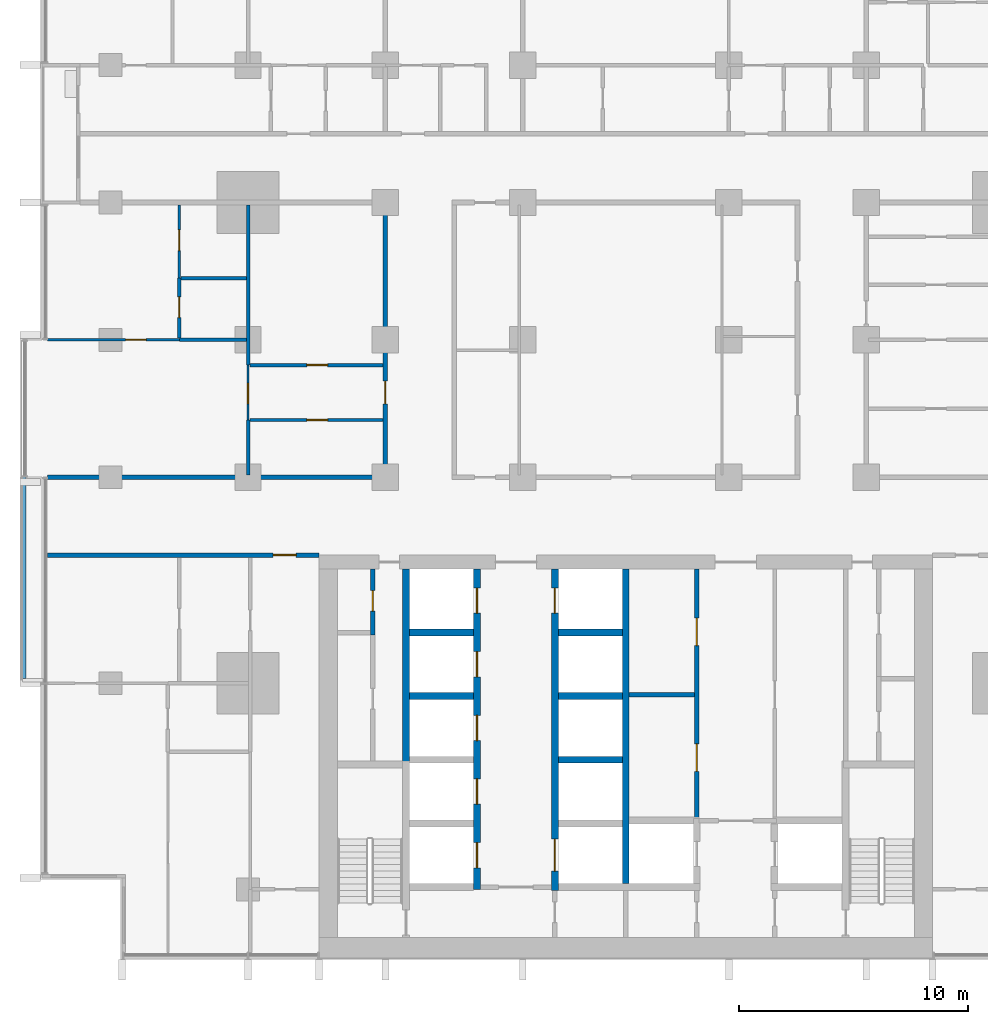
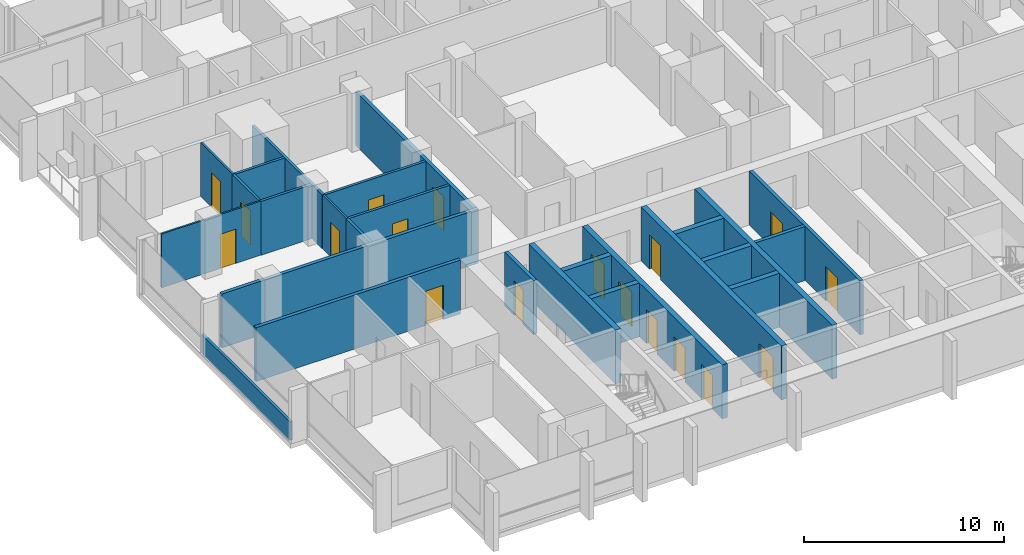
# One storey, part 8 of 18: 26 walls, 18 doors, 18 openings.
"""IFC4 building model written with IfcOpenShell, lengths in metres."""

from ifc_helpers import new_model, si_unit, direction, frame, frame_2d, origin, place, context, subcontext, project, spatial, rectangle, extrude, material, layer, layer_set, type_object, element, fill, save


model = new_model("IFC4")

# Units and contexts
model_context = context("Model", 3, precision=1e-05, world=origin(), true_north=direction((0.0, 1.0)))
body_context = subcontext(model_context, "Body", "Model", "MODEL_VIEW")
ifc_project = project(units=[si_unit("LENGTHUNIT", "METRE"), si_unit("AREAUNIT", "SQUARE_METRE"), si_unit("VOLUMEUNIT", "CUBIC_METRE"), si_unit("PLANEANGLEUNIT", "RADIAN"), si_unit("MASSUNIT", "GRAM", prefix="KILO")], contexts=[model_context])

# Site, building, storey
site_placement = place(None, origin())
site = spatial("IfcSite", under=ifc_project, at=site_placement, CompositionType="ELEMENT")
building_placement = place(site_placement, origin())
building = spatial("IfcBuilding", under=site, at=building_placement, Name="Finial Court Residences", CompositionType="ELEMENT")
storey_placement = place(building_placement, frame((0.0, 0.0, 106.300048828125)))
storey = spatial("IfcBuildingStorey", under=building, at=storey_placement, Name="L26", CompositionType="ELEMENT", Elevation=106.300048828125)

# Wall, opening, door
ifc_material_1 = material(Name="Gypsum board")
ifc_layer_1 = layer(ifc_material_1, 0.02490234375)
ifc_material_2 = material(Name="Acoustic mineral wool in double frame")
ifc_layer_2 = layer(ifc_material_2, 0.14990234375)
ifc_layer_3 = layer(ifc_material_1, 0.02490234375)
ifc_layer_set_1 = layer_set([ifc_layer_1, ifc_layer_2, ifc_layer_3], Name="Corridor wall 200, 1 hour")
wall_type_1 = type_object("IfcWallType", Name="Corridor wall 200, 1 hour", PredefinedType="PARTITIONING", material=ifc_layer_set_1)
wall_1_placement = place(storey_placement, frame((-25.25, -7.89990234375, 0.0), z_axis=(0.0, 0.0, 1.0), x_axis=(1.0, 0.0, 0.0)))
wall_1 = element("IfcWall", 1, at=wall_1_placement, inside=storey, type_object=wall_type_1, Name="Partition L26-007", PredefinedType="PARTITIONING", context=body_context, shape_type="SweptSolid", body=[
    extrude(rectangle(XDim=11.85009765625, YDim=0.199951171875, at=frame_2d((5.925048828125, 0.0))), origin(), (0.0, 0.0, 1.0), 3.300048828125),
])
opening_1_placement = place(wall_1_placement, frame((9.85009765625, 0.0, 0.0)))
opening_1 = element("IfcOpeningElement", 2, at=opening_1_placement, cuts=wall_1, Name="Opening L26-D005", PredefinedType="OPENING", context=body_context, shape_type="SweptSolid", body=[
    extrude(rectangle(XDim=1.0, YDim=2.10009765625, at=frame_2d((0.5, 1.050048828125))), frame((0.0, 0.10986328125, 0.0), z_axis=(0.0, -1.0, 0.0), x_axis=(1.0, 0.0, 0.0)), (0.0, 0.0, 1.0), 0.219970703125),
])
ifc_material_3 = material(Name="Timber door leaf in hollow metal frame", Category="wood")
door_type_1 = type_object("IfcDoorType", Name="Fire door set 1000 x 2100, 30 minutes", OperationType="SINGLE_SWING_LEFT", PredefinedType="DOOR", material=ifc_material_3)
door_1_placement = place(opening_1_placement, origin())
door_1 = element("IfcDoor", 3, at=door_1_placement, inside=storey, type_object=door_type_1, Name="Door L26-D005", OperationType="SINGLE_SWING_RIGHT", OverallHeight=2.10009765625, OverallWidth=1.0, PredefinedType="DOOR", context=body_context, shape_type="SweptSolid", body=[
    extrude(rectangle(XDim=1.0, YDim=2.10009765625, at=frame_2d((0.5, 1.050048828125))), frame((0.0, 0.02490234375, 0.0), z_axis=(0.0, -1.0, 0.0), x_axis=(1.0, 0.0, 0.0)), (0.0, 0.0, 1.0), 0.050048828125),
])
fill(opening_1, door_1)

# Wall
wall_2_placement = place(storey_placement, frame((-25.25, -4.5, 0.0), z_axis=(0.0, 0.0, 1.0), x_axis=(1.0, 0.0, 0.0)))
element("IfcWall", 4, at=wall_2_placement, inside=storey, type_object=wall_type_1, Name="Partition L26-009", PredefinedType="PARTITIONING", context=body_context, shape_type="SweptSolid", body=[
    extrude(rectangle(XDim=14.85009765625, YDim=0.199951171875, at=frame_2d((7.425048828125, 0.0))), origin(), (0.0, 0.0, 1.0), 3.300048828125),
])

# Wall, opening, door
wall_3_placement = place(storey_placement, frame((-10.5, -4.39990234375, 0.0), z_axis=(0.0, 0.0, 1.0), x_axis=(0.0, 1.0, 0.0)))
wall_3 = element("IfcWall", 5, at=wall_3_placement, inside=storey, type_object=wall_type_1, Name="Partition L26-061", PredefinedType="PARTITIONING", context=body_context, shape_type="SweptSolid", body=[
    extrude(rectangle(XDim=11.7998046875, YDim=0.199951171875, at=frame_2d((5.89990234375, 0.0))), origin(), (0.0, 0.0, 1.0), 3.300048828125),
])
opening_2_placement = place(wall_3_placement, frame((3.10009765625, 0.0, 0.0)))
opening_2 = element("IfcOpeningElement", 6, at=opening_2_placement, cuts=wall_3, Name="Opening L26-D042", PredefinedType="OPENING", context=body_context, shape_type="SweptSolid", body=[
    extrude(rectangle(XDim=1.0, YDim=2.10009765625, at=frame_2d((0.5, 1.050048828125))), frame((0.0, 0.10986328125, 0.0), z_axis=(0.0, -1.0, 0.0), x_axis=(1.0, 0.0, 0.0)), (0.0, 0.0, 1.0), 0.219970703125),
])
door_2_placement = place(opening_2_placement, origin())
door_2 = element("IfcDoor", 7, at=door_2_placement, inside=storey, type_object=door_type_1, Name="Door L26-D042", OperationType="SINGLE_SWING_RIGHT", OverallHeight=2.10009765625, OverallWidth=1.0, PredefinedType="DOOR", context=body_context, shape_type="SweptSolid", body=[
    extrude(rectangle(XDim=1.0, YDim=2.10009765625, at=frame_2d((0.5, 1.050048828125))), frame((0.0, 0.02490234375, 0.0), z_axis=(0.0, -1.0, 0.0), x_axis=(1.0, 0.0, 0.0)), (0.0, 0.0, 1.0), 0.050048828125),
])
fill(opening_2, door_2)

ifc_layer_4 = layer(ifc_material_1, 0.012451171875)
ifc_material_4 = material(Name="Mineral wool in light-gauge frame")
ifc_layer_5 = layer(ifc_material_4, 0.074951171875)
ifc_layer_6 = layer(ifc_material_1, 0.012451171875)
ifc_layer_set_2 = layer_set([ifc_layer_4, ifc_layer_5, ifc_layer_6], Name="Gypsum board partition 100")
wall_type_2 = type_object("IfcWallType", Name="Gypsum board partition 100", PredefinedType="PARTITIONING", material=ifc_layer_set_2)
wall_4_placement = place(storey_placement, frame((-25.25, 1.5, 0.0), z_axis=(0.0, 0.0, 1.0), x_axis=(1.0, 0.0, 0.0)))
wall_4 = element("IfcWall", 8, at=wall_4_placement, inside=storey, type_object=wall_type_2, Name="Partition L26-016", PredefinedType="PARTITIONING", context=body_context, shape_type="SweptSolid", body=[
    extrude(rectangle(XDim=5.75, YDim=0.10009765625, at=frame_2d((2.875, 0.0))), origin(), (0.0, 0.0, 1.0), 3.300048828125),
])
opening_3_placement = place(wall_4_placement, frame((3.39990234375, 0.0, 0.0)))
opening_3 = element("IfcOpeningElement", 9, at=opening_3_placement, cuts=wall_4, Name="Opening L26-D012", PredefinedType="OPENING", context=body_context, shape_type="SweptSolid", body=[
    extrude(rectangle(XDim=0.89990234375, YDim=2.10009765625, at=frame_2d((0.449951171875, 1.050048828125))), frame((0.0, 0.06005859375, 0.0), z_axis=(0.0, -1.0, 0.0), x_axis=(1.0, 0.0, 0.0)), (0.0, 0.0, 1.0), 0.1201171875),
])
ifc_material_5 = material(Name="Timber door leaf in timber frame", Category="wood")
door_type_2 = type_object("IfcDoorType", Name="Door set 900 x 2100", OperationType="SINGLE_SWING_LEFT", PredefinedType="DOOR", material=ifc_material_5)
door_3_placement = place(opening_3_placement, origin())
door_3 = element("IfcDoor", 10, at=door_3_placement, inside=storey, type_object=door_type_2, Name="Door L26-D012", OperationType="SINGLE_SWING_LEFT", OverallHeight=2.10009765625, OverallWidth=0.89990234375, PredefinedType="DOOR", context=body_context, shape_type="SweptSolid", body=[
    extrude(rectangle(XDim=0.89990234375, YDim=2.10009765625, at=frame_2d((0.449951171875, 1.050048828125))), frame((0.0, 0.02490234375, 0.0), z_axis=(0.0, -1.0, 0.0), x_axis=(1.0, 0.0, 0.0)), (0.0, 0.0, 1.0), 0.050048828125),
])
fill(opening_3, door_3)

wall_5_placement = place(storey_placement, frame((-19.5, 4.199951171875, 0.0), z_axis=(0.0, 0.0, 1.0), x_axis=(0.0, 1.0, 0.0)))
wall_5 = element("IfcWall", 11, at=wall_5_placement, inside=storey, type_object=wall_type_2, Name="Partition L26-048", PredefinedType="PARTITIONING", context=body_context, shape_type="SweptSolid", body=[
    extrude(rectangle(XDim=3.199951171875, YDim=0.10009765625, at=frame_2d((1.60009765625, 0.0))), origin(), (0.0, 0.0, 1.0), 3.300048828125),
])
opening_4_placement = place(wall_5_placement, frame((1.199951171875, 0.0, 0.0)))
opening_4 = element("IfcOpeningElement", 12, at=opening_4_placement, cuts=wall_5, Name="Opening L26-D035", PredefinedType="OPENING", context=body_context, shape_type="SweptSolid", body=[
    extrude(rectangle(XDim=0.89990234375, YDim=2.10009765625, at=frame_2d((0.449951171875, 1.050048828125))), frame((0.0, 0.06005859375, 0.0), z_axis=(0.0, -1.0, 0.0), x_axis=(1.0, 0.0, 0.0)), (0.0, 0.0, 1.0), 0.1201171875),
])
door_4_placement = place(opening_4_placement, origin())
door_4 = element("IfcDoor", 13, at=door_4_placement, inside=storey, type_object=door_type_2, Name="Door L26-D035", OperationType="SINGLE_SWING_LEFT", OverallHeight=2.10009765625, OverallWidth=0.89990234375, PredefinedType="DOOR", context=body_context, shape_type="SweptSolid", body=[
    extrude(rectangle(XDim=0.89990234375, YDim=2.10009765625, at=frame_2d((0.449951171875, 1.050048828125))), frame((0.0, 0.02490234375, 0.0), z_axis=(0.0, -1.0, 0.0), x_axis=(1.0, 0.0, 0.0)), (0.0, 0.0, 1.0), 0.050048828125),
])
fill(opening_4, door_4)

wall_6_placement = place(storey_placement, frame((-16.5, -2.0, 0.0), z_axis=(0.0, 0.0, 1.0), x_axis=(0.0, 1.0, 0.0)))
wall_6 = element("IfcWall", 14, at=wall_6_placement, inside=storey, type_object=wall_type_2, Name="Partition L26-051", PredefinedType="PARTITIONING", context=body_context, shape_type="SweptSolid", body=[
    extrude(rectangle(XDim=2.39990234375, YDim=0.10009765625, at=frame_2d((1.199951171875, 0.0))), origin(), (0.0, 0.0, 1.0), 3.300048828125),
])
opening_5_placement = place(wall_6_placement, frame((0.699951171875, 0.0, 0.0)))
opening_5 = element("IfcOpeningElement", 15, at=opening_5_placement, cuts=wall_6, Name="Opening L26-D038", PredefinedType="OPENING", context=body_context, shape_type="SweptSolid", body=[
    extrude(rectangle(XDim=0.89990234375, YDim=2.10009765625, at=frame_2d((0.449951171875, 1.050048828125))), frame((0.0, 0.06005859375, 0.0), z_axis=(0.0, -1.0, 0.0), x_axis=(1.0, 0.0, 0.0)), (0.0, 0.0, 1.0), 0.1201171875),
])
door_5_placement = place(opening_5_placement, origin())
door_5 = element("IfcDoor", 16, at=door_5_placement, inside=storey, type_object=door_type_2, Name="Door L26-D038", OperationType="SINGLE_SWING_RIGHT", OverallHeight=2.10009765625, OverallWidth=0.89990234375, PredefinedType="DOOR", context=body_context, shape_type="SweptSolid", body=[
    extrude(rectangle(XDim=0.89990234375, YDim=2.10009765625, at=frame_2d((0.449951171875, 1.050048828125))), frame((0.0, 0.02490234375, 0.0), z_axis=(0.0, -1.0, 0.0), x_axis=(1.0, 0.0, 0.0)), (0.0, 0.0, 1.0), 0.050048828125),
])
fill(opening_5, door_5)

ifc_material_6 = material(Name="Moisture-resistant gypsum board")
ifc_layer_7 = layer(ifc_material_6, 0.012451171875)
ifc_layer_8 = layer(ifc_material_4, 0.125)
ifc_layer_9 = layer(ifc_material_6, 0.012451171875)
ifc_layer_set_3 = layer_set([ifc_layer_7, ifc_layer_8, ifc_layer_9], Name="Gypsum board wet-area partition 150")
wall_type_3 = type_object("IfcWallType", Name="Gypsum board wet-area partition 150", PredefinedType="PARTITIONING", material=ifc_layer_set_3)
wall_7_placement = place(storey_placement, frame((-16.425048828125, -2.0, 0.0), z_axis=(0.0, 0.0, 1.0), x_axis=(1.0, 0.0, 0.0)))
wall_7 = element("IfcWall", 17, at=wall_7_placement, inside=storey, type_object=wall_type_3, Name="Partition L26-012", PredefinedType="PARTITIONING", context=body_context, shape_type="SweptSolid", body=[
    extrude(rectangle(XDim=5.824951171875, YDim=0.14990234375, at=frame_2d((2.91259765625, 0.0))), origin(), (0.0, 0.0, 1.0), 3.300048828125),
])
opening_6_placement = place(wall_7_placement, frame((2.5, 0.0, 0.0)))
opening_6 = element("IfcOpeningElement", 18, at=opening_6_placement, cuts=wall_7, Name="Opening L26-D009", PredefinedType="OPENING", context=body_context, shape_type="SweptSolid", body=[
    extrude(rectangle(XDim=0.89990234375, YDim=2.10009765625, at=frame_2d((0.449951171875, 1.050048828125))), frame((0.0, 0.0849609375, 0.0), z_axis=(0.0, -1.0, 0.0), x_axis=(1.0, 0.0, 0.0)), (0.0, 0.0, 1.0), 0.169921875),
])
door_6_placement = place(opening_6_placement, origin())
door_6 = element("IfcDoor", 19, at=door_6_placement, inside=storey, type_object=door_type_2, Name="Door L26-D009", OperationType="SINGLE_SWING_LEFT", OverallHeight=2.10009765625, OverallWidth=0.89990234375, PredefinedType="DOOR", context=body_context, shape_type="SweptSolid", body=[
    extrude(rectangle(XDim=0.89990234375, YDim=2.10009765625, at=frame_2d((0.449951171875, 1.050048828125))), frame((0.0, 0.02490234375, 0.0), z_axis=(0.0, -1.0, 0.0), x_axis=(1.0, 0.0, 0.0)), (0.0, 0.0, 1.0), 0.050048828125),
])
fill(opening_6, door_6)

wall_8_placement = place(storey_placement, frame((-16.425048828125, 0.39990234375, 0.0), z_axis=(0.0, 0.0, 1.0), x_axis=(1.0, 0.0, 0.0)))
wall_8 = element("IfcWall", 20, at=wall_8_placement, inside=storey, type_object=wall_type_3, Name="Partition L26-014", PredefinedType="PARTITIONING", context=body_context, shape_type="SweptSolid", body=[
    extrude(rectangle(XDim=5.824951171875, YDim=0.14990234375, at=frame_2d((2.91259765625, 0.0))), origin(), (0.0, 0.0, 1.0), 3.300048828125),
])
opening_7_placement = place(wall_8_placement, frame((2.5, 0.0, 0.0)))
opening_7 = element("IfcOpeningElement", 21, at=opening_7_placement, cuts=wall_8, Name="Opening L26-D011", PredefinedType="OPENING", context=body_context, shape_type="SweptSolid", body=[
    extrude(rectangle(XDim=0.89990234375, YDim=2.10009765625, at=frame_2d((0.449951171875, 1.050048828125))), frame((0.0, 0.0849609375, 0.0), z_axis=(0.0, -1.0, 0.0), x_axis=(1.0, 0.0, 0.0)), (0.0, 0.0, 1.0), 0.169921875),
])
door_7_placement = place(opening_7_placement, origin())
door_7 = element("IfcDoor", 22, at=door_7_placement, inside=storey, type_object=door_type_2, Name="Door L26-D011", OperationType="SINGLE_SWING_LEFT", OverallHeight=2.10009765625, OverallWidth=0.89990234375, PredefinedType="DOOR", context=body_context, shape_type="SweptSolid", body=[
    extrude(rectangle(XDim=0.89990234375, YDim=2.10009765625, at=frame_2d((0.449951171875, 1.050048828125))), frame((0.0, 0.02490234375, 0.0), z_axis=(0.0, -1.0, 0.0), x_axis=(1.0, 0.0, 0.0)), (0.0, 0.0, 1.0), 0.050048828125),
])
fill(opening_7, door_7)

# Walls
wall_9_placement = place(storey_placement, frame((-19.5, 1.5, 0.0), z_axis=(0.0, 0.0, 1.0), x_axis=(1.0, 0.0, 0.0)))
element("IfcWall", 23, at=wall_9_placement, inside=storey, type_object=wall_type_3, Name="Partition L26-018", PredefinedType="PARTITIONING", context=body_context, shape_type="SweptSolid", body=[
    extrude(rectangle(XDim=2.925048828125, YDim=0.14990234375, at=frame_2d((1.46240234375, 0.0))), origin(), (0.0, 0.0, 1.0), 3.300048828125),
])
wall_10_placement = place(storey_placement, frame((-19.425048828125, 4.199951171875, 0.0), z_axis=(0.0, 0.0, 1.0), x_axis=(1.0, 0.0, 0.0)))
element("IfcWall", 24, at=wall_10_placement, inside=storey, type_object=wall_type_3, Name="Partition L26-022", PredefinedType="PARTITIONING", context=body_context, shape_type="SweptSolid", body=[
    extrude(rectangle(XDim=2.85009765625, YDim=0.14990234375, at=frame_2d((1.425048828125, 0.0))), origin(), (0.0, 0.0, 1.0), 3.300048828125),
])

# Wall, opening, door
wall_11_placement = place(storey_placement, frame((-19.5, 1.574951171875, 0.0), z_axis=(0.0, 0.0, 1.0), x_axis=(0.0, 1.0, 0.0)))
wall_11 = element("IfcWall", 25, at=wall_11_placement, inside=storey, type_object=wall_type_3, Name="Partition L26-050", PredefinedType="PARTITIONING", context=body_context, shape_type="SweptSolid", body=[
    extrude(rectangle(XDim=2.625, YDim=0.14990234375, at=frame_2d((1.3125, 0.0))), origin(), (0.0, 0.0, 1.0), 3.300048828125),
])
opening_8_placement = place(wall_11_placement, frame((0.89990234375, 0.0, 0.0)))
opening_8 = element("IfcOpeningElement", 26, at=opening_8_placement, cuts=wall_11, Name="Opening L26-D037", PredefinedType="OPENING", context=body_context, shape_type="SweptSolid", body=[
    extrude(rectangle(XDim=0.89990234375, YDim=2.10009765625, at=frame_2d((0.449951171875, 1.050048828125))), frame((0.0, 0.0849609375, 0.0), z_axis=(0.0, -1.0, 0.0), x_axis=(1.0, 0.0, 0.0)), (0.0, 0.0, 1.0), 0.169921875),
])
door_8_placement = place(opening_8_placement, origin())
door_8 = element("IfcDoor", 27, at=door_8_placement, inside=storey, type_object=door_type_2, Name="Door L26-D037", OperationType="SINGLE_SWING_RIGHT", OverallHeight=2.10009765625, OverallWidth=0.89990234375, PredefinedType="DOOR", context=body_context, shape_type="SweptSolid", body=[
    extrude(rectangle(XDim=0.89990234375, YDim=2.10009765625, at=frame_2d((0.449951171875, 1.050048828125))), frame((0.0, 0.02490234375, 0.0), z_axis=(0.0, -1.0, 0.0), x_axis=(1.0, 0.0, 0.0)), (0.0, 0.0, 1.0), 0.050048828125),
])
fill(opening_8, door_8)

# Walls
wall_12_placement = place(storey_placement, frame((-16.5, -4.39990234375, 0.0), z_axis=(0.0, 0.0, 1.0), x_axis=(0.0, 1.0, 0.0)))
element("IfcWall", 28, at=wall_12_placement, inside=storey, type_object=wall_type_3, Name="Partition L26-053", PredefinedType="PARTITIONING", context=body_context, shape_type="SweptSolid", body=[
    extrude(rectangle(XDim=2.39990234375, YDim=0.14990234375, at=frame_2d((1.199951171875, 0.0))), origin(), (0.0, 0.0, 1.0), 3.300048828125),
])
wall_13_placement = place(storey_placement, frame((-16.5, 0.39990234375, 0.0), z_axis=(0.0, 0.0, 1.0), x_axis=(0.0, 1.0, 0.0)))
element("IfcWall", 29, at=wall_13_placement, inside=storey, type_object=wall_type_3, Name="Partition L26-054", PredefinedType="PARTITIONING", context=body_context, shape_type="SweptSolid", body=[
    extrude(rectangle(XDim=7.0, YDim=0.14990234375, at=frame_2d((3.5, 0.0))), origin(), (0.0, 0.0, 1.0), 3.300048828125),
])
ifc_material_7 = material(Name="Concrete C35/45", Category="concrete")
ifc_layer_10 = layer(ifc_material_7, 0.14990234375)
ifc_layer_set_4 = layer_set([ifc_layer_10], Name="Ledge parapet, Concrete C35/45 150")
wall_type_4 = type_object("IfcWallType", Name="Ledge parapet, Concrete C35/45 150", PredefinedType="PARAPET", material=ifc_layer_set_4)
wall_14_placement = place(storey_placement, frame((-26.27490234375, -13.300048828125, 0.0), z_axis=(0.0, 0.0, 1.0), x_axis=(0.0, 1.0, 0.0)))
element("IfcWall", 30, at=wall_14_placement, inside=storey, type_object=wall_type_4, Name="E-L26-LED1-P2", PredefinedType="PARAPET", context=body_context, shape_type="SweptSolid", body=[
    extrude(rectangle(XDim=8.840087890625, YDim=0.14990234375, at=frame_2d((4.419921875, 0.0))), origin(), (0.0, 0.0, 1.0), 1.14990234375),
])
ifc_material_8 = material(Name="Concrete C70/85", Category="concrete")
ifc_layer_11 = layer(ifc_material_8, 0.300048828125)
ifc_layer_set_5 = layer_set([ifc_layer_11], Name="Lift shaft and stair wall 300 Concrete C70/85")
wall_type_5 = type_object("IfcWallType", Name="Lift shaft and stair wall 300 Concrete C70/85", PredefinedType="SHEAR", material=ifc_layer_set_5)
for number, where, z_axis, x_axis, name in (
    (31, (-2.949951171875, -16.840087890625, 0.0), (0.0, 0.0, 1.0), (1.0, 0.0, 0.0), "Core wall L26-13"),
    (32, (-9.449951171875, -14.06005859375, 0.0), (0.0, 0.0, 1.0), (1.0, 0.0, 0.0), "Core wall L26-14"),
    (33, (-2.949951171875, -14.06005859375, 0.0), (0.0, 0.0, 1.0), (1.0, 0.0, 0.0), "Core wall L26-15"),
    (34, (-9.449951171875, -11.280029296875, 0.0), (0.0, 0.0, 1.0), (1.0, 0.0, 0.0), "Core wall L26-19"),
    (35, (-2.949951171875, -11.280029296875, 0.0), (0.0, 0.0, 1.0), (1.0, 0.0, 0.0), "Core wall L26-20"),
):
    element("IfcWall", number, at=place(storey_placement, frame(where, z_axis=z_axis, x_axis=x_axis)), inside=storey, type_object=wall_type_5, Name=name, PredefinedType="SHEAR", context=body_context, shape_type="SweptSolid", body=[
        extrude(rectangle(XDim=2.800048828125, YDim=0.300048828125, at=frame_2d((1.39990234375, 0.0))), origin(), (0.0, 0.0, 1.0), 3.300048828125),
    ])
wall_15_placement = place(storey_placement, frame((-9.60009765625, -17.199951171875, 0.0), z_axis=(0.0, 0.0, 1.0), x_axis=(0.0, 1.0, 0.0)))
element("IfcWall", 36, at=wall_15_placement, inside=storey, type_object=wall_type_5, Name="Core wall L26-24", PredefinedType="SHEAR", context=body_context, shape_type="SweptSolid", body=[
    extrude(rectangle(XDim=8.699951171875, YDim=0.300048828125, at=frame_2d((4.35009765625, 0.0))), origin(), (0.0, 0.0, 1.0), 3.300048828125),
])

# Wall, openings, doors
wall_16_placement = place(storey_placement, frame((-6.5, -22.5, 0.0), z_axis=(0.0, 0.0, 1.0), x_axis=(0.0, 1.0, 0.0)))
wall_16 = element("IfcWall", 37, at=wall_16_placement, inside=storey, type_object=wall_type_5, Name="Core wall L26-25", PredefinedType="SHEAR", context=body_context, shape_type="SweptSolid", body=[
    extrude(rectangle(XDim=14.0, YDim=0.300048828125, at=frame_2d((7.0, 0.0))), origin(), (0.0, 0.0, 1.0), 3.300048828125),
])
opening_9_placement = place(wall_16_placement, frame((0.93994140625, 0.0, 0.0)))
opening_9 = element("IfcOpeningElement", 38, at=opening_9_placement, cuts=wall_16, Name="Opening L26-LD03", PredefinedType="OPENING", context=body_context, shape_type="SweptSolid", body=[
    extrude(rectangle(XDim=1.10009765625, YDim=2.10009765625, at=frame_2d((0.550048828125, 1.050048828125))), frame((0.0, 0.159912109375, 0.0), z_axis=(0.0, -1.0, 0.0), x_axis=(1.0, 0.0, 0.0)), (0.0, 0.0, 1.0), 0.320068359375),
])
opening_10_placement = place(wall_16_placement, frame((3.719970703125, 0.0, 0.0)))
opening_10 = element("IfcOpeningElement", 39, at=opening_10_placement, cuts=wall_16, Name="Opening L26-LD04", PredefinedType="OPENING", context=body_context, shape_type="SweptSolid", body=[
    extrude(rectangle(XDim=1.10009765625, YDim=2.10009765625, at=frame_2d((0.550048828125, 1.050048828125))), frame((0.0, 0.159912109375, 0.0), z_axis=(0.0, -1.0, 0.0), x_axis=(1.0, 0.0, 0.0)), (0.0, 0.0, 1.0), 0.320068359375),
])
opening_11_placement = place(wall_16_placement, frame((6.5, 0.0, 0.0)))
opening_11 = element("IfcOpeningElement", 40, at=opening_11_placement, cuts=wall_16, Name="Opening L26-LD05", PredefinedType="OPENING", context=body_context, shape_type="SweptSolid", body=[
    extrude(rectangle(XDim=1.10009765625, YDim=2.10009765625, at=frame_2d((0.550048828125, 1.050048828125))), frame((0.0, 0.159912109375, 0.0), z_axis=(0.0, -1.0, 0.0), x_axis=(1.0, 0.0, 0.0)), (0.0, 0.0, 1.0), 0.320068359375),
])
opening_12_placement = place(wall_16_placement, frame((9.280029296875, 0.0, 0.0)))
opening_12 = element("IfcOpeningElement", 41, at=opening_12_placement, cuts=wall_16, Name="Opening L26-LD06", PredefinedType="OPENING", context=body_context, shape_type="SweptSolid", body=[
    extrude(rectangle(XDim=1.10009765625, YDim=2.10009765625, at=frame_2d((0.550048828125, 1.050048828125))), frame((0.0, 0.159912109375, 0.0), z_axis=(0.0, -1.0, 0.0), x_axis=(1.0, 0.0, 0.0)), (0.0, 0.0, 1.0), 0.320068359375),
])
opening_13_placement = place(wall_16_placement, frame((12.06005859375, 0.0, 0.0)))
opening_13 = element("IfcOpeningElement", 42, at=opening_13_placement, cuts=wall_16, Name="Opening L26-LD07", PredefinedType="OPENING", context=body_context, shape_type="SweptSolid", body=[
    extrude(rectangle(XDim=1.10009765625, YDim=2.10009765625, at=frame_2d((0.550048828125, 1.050048828125))), frame((0.0, 0.159912109375, 0.0), z_axis=(0.0, -1.0, 0.0), x_axis=(1.0, 0.0, 0.0)), (0.0, 0.0, 1.0), 0.320068359375),
])
ifc_material_9 = material(Name="Stainless steel lift door", Category="steel")
door_type_3 = type_object("IfcDoorType", Name="Lift landing door 1100 x 2100 EI 90", OperationType="DOUBLE_DOOR_SLIDING", PredefinedType="DOOR", material=ifc_material_9)
door_9_placement = place(opening_9_placement, origin())
door_9 = element("IfcDoor", 43, at=door_9_placement, inside=storey, type_object=door_type_3, Name="Lift landing door LR1 L26", OperationType="DOUBLE_DOOR_SLIDING", OverallHeight=2.10009765625, OverallWidth=1.10009765625, PredefinedType="DOOR", context=body_context, shape_type="SweptSolid", body=[
    extrude(rectangle(XDim=1.10009765625, YDim=2.10009765625, at=frame_2d((0.550048828125, 1.050048828125))), frame((0.0, 0.02490234375, 0.0), z_axis=(0.0, -1.0, 0.0), x_axis=(1.0, 0.0, 0.0)), (0.0, 0.0, 1.0), 0.050048828125),
])
fill(opening_9, door_9)
door_10_placement = place(opening_10_placement, origin())
door_10 = element("IfcDoor", 44, at=door_10_placement, inside=storey, type_object=door_type_3, Name="Lift landing door LR2 L26", OperationType="DOUBLE_DOOR_SLIDING", OverallHeight=2.10009765625, OverallWidth=1.10009765625, PredefinedType="DOOR", context=body_context, shape_type="SweptSolid", body=[
    extrude(rectangle(XDim=1.10009765625, YDim=2.10009765625, at=frame_2d((0.550048828125, 1.050048828125))), frame((0.0, 0.02490234375, 0.0), z_axis=(0.0, -1.0, 0.0), x_axis=(1.0, 0.0, 0.0)), (0.0, 0.0, 1.0), 0.050048828125),
])
fill(opening_10, door_10)
door_11_placement = place(opening_11_placement, origin())
door_11 = element("IfcDoor", 45, at=door_11_placement, inside=storey, type_object=door_type_3, Name="Lift landing door LR3 L26", OperationType="DOUBLE_DOOR_SLIDING", OverallHeight=2.10009765625, OverallWidth=1.10009765625, PredefinedType="DOOR", context=body_context, shape_type="SweptSolid", body=[
    extrude(rectangle(XDim=1.10009765625, YDim=2.10009765625, at=frame_2d((0.550048828125, 1.050048828125))), frame((0.0, 0.02490234375, 0.0), z_axis=(0.0, -1.0, 0.0), x_axis=(1.0, 0.0, 0.0)), (0.0, 0.0, 1.0), 0.050048828125),
])
fill(opening_11, door_11)
door_12_placement = place(opening_12_placement, origin())
door_12 = element("IfcDoor", 46, at=door_12_placement, inside=storey, type_object=door_type_3, Name="Lift landing door LR4 L26", OperationType="DOUBLE_DOOR_SLIDING", OverallHeight=2.10009765625, OverallWidth=1.10009765625, PredefinedType="DOOR", context=body_context, shape_type="SweptSolid", body=[
    extrude(rectangle(XDim=1.10009765625, YDim=2.10009765625, at=frame_2d((0.550048828125, 1.050048828125))), frame((0.0, 0.02490234375, 0.0), z_axis=(0.0, -1.0, 0.0), x_axis=(1.0, 0.0, 0.0)), (0.0, 0.0, 1.0), 0.050048828125),
])
fill(opening_12, door_12)
door_13_placement = place(opening_13_placement, origin())
door_13 = element("IfcDoor", 47, at=door_13_placement, inside=storey, type_object=door_type_3, Name="Lift landing door LR5 L26", OperationType="DOUBLE_DOOR_SLIDING", OverallHeight=2.10009765625, OverallWidth=1.10009765625, PredefinedType="DOOR", context=body_context, shape_type="SweptSolid", body=[
    extrude(rectangle(XDim=1.10009765625, YDim=2.10009765625, at=frame_2d((0.550048828125, 1.050048828125))), frame((0.0, 0.02490234375, 0.0), z_axis=(0.0, -1.0, 0.0), x_axis=(1.0, 0.0, 0.0)), (0.0, 0.0, 1.0), 0.050048828125),
])
fill(opening_13, door_13)

wall_17_placement = place(storey_placement, frame((-3.10009765625, -22.550048828125, 0.0), z_axis=(0.0, 0.0, 1.0), x_axis=(0.0, 1.0, 0.0)))
wall_17 = element("IfcWall", 48, at=wall_17_placement, inside=storey, type_object=wall_type_5, Name="Core wall L26-27", PredefinedType="SHEAR", context=body_context, shape_type="SweptSolid", body=[
    extrude(rectangle(XDim=14.050048828125, YDim=0.300048828125, at=frame_2d((7.02490234375, 0.0))), origin(), (0.0, 0.0, 1.0), 3.300048828125),
])
opening_14_placement = place(wall_17_placement, frame((12.110107421875, 0.0, 0.0)))
opening_14 = element("IfcOpeningElement", 49, at=opening_14_placement, cuts=wall_17, Name="Opening L26-LD08", PredefinedType="OPENING", context=body_context, shape_type="SweptSolid", body=[
    extrude(rectangle(XDim=1.10009765625, YDim=2.10009765625, at=frame_2d((0.550048828125, 1.050048828125))), frame((0.0, 0.159912109375, 0.0), z_axis=(0.0, -1.0, 0.0), x_axis=(1.0, 0.0, 0.0)), (0.0, 0.0, 1.0), 0.320068359375),
])
opening_15_placement = place(wall_17_placement, frame((0.840087890625, 0.0, 0.0)))
opening_15 = element("IfcOpeningElement", 50, at=opening_15_placement, cuts=wall_17, Name="Opening L26-LD09", PredefinedType="OPENING", context=body_context, shape_type="SweptSolid", body=[
    extrude(rectangle(XDim=1.39990234375, YDim=2.10009765625, at=frame_2d((0.699951171875, 1.050048828125))), frame((0.0, 0.159912109375, 0.0), z_axis=(0.0, -1.0, 0.0), x_axis=(1.0, 0.0, 0.0)), (0.0, 0.0, 1.0), 0.320068359375),
])
door_14_placement = place(opening_14_placement, origin())
door_14 = element("IfcDoor", 51, at=door_14_placement, inside=storey, type_object=door_type_3, Name="Lift landing door LR6 L26", OperationType="DOUBLE_DOOR_SLIDING", OverallHeight=2.10009765625, OverallWidth=1.10009765625, PredefinedType="DOOR", context=body_context, shape_type="SweptSolid", body=[
    extrude(rectangle(XDim=1.10009765625, YDim=2.10009765625, at=frame_2d((0.550048828125, 1.050048828125))), frame((0.0, 0.02490234375, 0.0), z_axis=(0.0, -1.0, 0.0), x_axis=(1.0, 0.0, 0.0)), (0.0, 0.0, 1.0), 0.050048828125),
])
fill(opening_14, door_14)
door_type_4 = type_object("IfcDoorType", Name="Lift landing door 1400 x 2100 EI 90", OperationType="DOUBLE_DOOR_SLIDING", PredefinedType="DOOR", material=ifc_material_9)
door_15_placement = place(opening_15_placement, origin())
door_15 = element("IfcDoor", 52, at=door_15_placement, inside=storey, type_object=door_type_4, Name="Lift landing door SV1 L26", OperationType="DOUBLE_DOOR_SLIDING", OverallHeight=2.10009765625, OverallWidth=1.39990234375, PredefinedType="DOOR", context=body_context, shape_type="SweptSolid", body=[
    extrude(rectangle(XDim=1.39990234375, YDim=2.10009765625, at=frame_2d((0.699951171875, 1.050048828125))), frame((0.0, 0.02490234375, 0.0), z_axis=(0.0, -1.0, 0.0), x_axis=(1.0, 0.0, 0.0)), (0.0, 0.0, 1.0), 0.050048828125),
])
fill(opening_15, door_15)

# Walls
wall_18_placement = place(storey_placement, frame((0.0, -22.25, 0.0), z_axis=(0.0, 0.0, 1.0), x_axis=(0.0, 1.0, 0.0)))
element("IfcWall", 53, at=wall_18_placement, inside=storey, type_object=wall_type_5, Name="Core wall L26-29", PredefinedType="SHEAR", context=body_context, shape_type="SweptSolid", body=[
    extrude(rectangle(XDim=13.75, YDim=0.300048828125, at=frame_2d((6.875, 0.0))), origin(), (0.0, 0.0, 1.0), 3.300048828125),
])
ifc_material_10 = material(Name="Fire-rated gypsum board partition")
ifc_layer_12 = layer(ifc_material_10, 0.199951171875)
ifc_layer_set_6 = layer_set([ifc_layer_12], Name="Riser room wall 200 EI 120")
wall_type_6 = type_object("IfcWallType", Name="Riser room wall 200 EI 120", PredefinedType="PARTITIONING", material=ifc_layer_set_6)
wall_19_placement = place(storey_placement, frame((0.14990234375, -14.0, 0.0), z_axis=(0.0, 0.0, 1.0), x_axis=(1.0, 0.0, 0.0)))
element("IfcWall", 54, at=wall_19_placement, inside=storey, type_object=wall_type_6, Name="Core partition L26-16", PredefinedType="PARTITIONING", context=body_context, shape_type="SweptSolid", body=[
    extrude(rectangle(XDim=2.85009765625, YDim=0.199951171875, at=frame_2d((1.425048828125, 0.0))), origin(), (0.0, 0.0, 1.0), 3.300048828125),
])

# Wall, opening, door
wall_20_placement = place(storey_placement, frame((-11.050048828125, -11.39990234375, 0.0), z_axis=(0.0, 0.0, 1.0), x_axis=(0.0, 1.0, 0.0)))
wall_20 = element("IfcWall", 55, at=wall_20_placement, inside=storey, type_object=wall_type_6, Name="Core partition L26-22", PredefinedType="PARTITIONING", context=body_context, shape_type="SweptSolid", body=[
    extrude(rectangle(XDim=2.89990234375, YDim=0.199951171875, at=frame_2d((1.449951171875, 0.0))), origin(), (0.0, 0.0, 1.0), 3.300048828125),
])
opening_16_placement = place(wall_20_placement, frame((1.050048828125, 0.0, 0.0)))
opening_16 = element("IfcOpeningElement", 56, at=opening_16_placement, cuts=wall_20, Name="Opening L26-C07", PredefinedType="OPENING", context=body_context, shape_type="SweptSolid", body=[
    extrude(rectangle(XDim=0.89990234375, YDim=2.10009765625, at=frame_2d((0.449951171875, 1.050048828125))), frame((0.0, 0.10986328125, 0.0), z_axis=(0.0, -1.0, 0.0), x_axis=(1.0, 0.0, 0.0)), (0.0, 0.0, 1.0), 0.219970703125),
])
ifc_material_11 = material(Name="Steel fire door", Category="steel")
door_type_5 = type_object("IfcDoorType", Name="Riser room door 900 x 2100 EI 90", OperationType="NOTDEFINED", PredefinedType="DOOR", material=ifc_material_11)
door_16_placement = place(opening_16_placement, origin())
door_16 = element("IfcDoor", 57, at=door_16_placement, inside=storey, type_object=door_type_5, Name="Riser room door L26-C07", OperationType="SINGLE_SWING_LEFT", OverallHeight=2.10009765625, OverallWidth=0.89990234375, PredefinedType="DOOR", context=body_context, shape_type="SweptSolid", body=[
    extrude(rectangle(XDim=0.89990234375, YDim=2.10009765625, at=frame_2d((0.449951171875, 1.050048828125))), frame((0.0, 0.02490234375, 0.0), z_axis=(0.0, -1.0, 0.0), x_axis=(1.0, 0.0, 0.0)), (0.0, 0.0, 1.0), 0.050048828125),
])
fill(opening_16, door_16)

# Wall, openings, doors
wall_21_placement = place(storey_placement, frame((3.10009765625, -19.60009765625, 0.0), z_axis=(0.0, 0.0, 1.0), x_axis=(0.0, 1.0, 0.0)))
wall_21 = element("IfcWall", 58, at=wall_21_placement, inside=storey, type_object=wall_type_6, Name="Core partition L26-32", PredefinedType="PARTITIONING", context=body_context, shape_type="SweptSolid", body=[
    extrude(rectangle(XDim=11.10009765625, YDim=0.199951171875, at=frame_2d((5.550048828125, 0.0))), origin(), (0.0, 0.0, 1.0), 3.300048828125),
])
opening_17_placement = place(wall_21_placement, frame((2.25, 0.0, 0.0)))
opening_17 = element("IfcOpeningElement", 59, at=opening_17_placement, cuts=wall_21, Name="Opening L26-C09", PredefinedType="OPENING", context=body_context, shape_type="SweptSolid", body=[
    extrude(rectangle(XDim=1.199951171875, YDim=2.10009765625, at=frame_2d((0.60009765625, 1.050048828125))), frame((0.0, 0.10986328125, 0.0), z_axis=(0.0, -1.0, 0.0), x_axis=(1.0, 0.0, 0.0)), (0.0, 0.0, 1.0), 0.219970703125),
])
opening_18_placement = place(wall_21_placement, frame((7.75, 0.0, 0.0)))
opening_18 = element("IfcOpeningElement", 60, at=opening_18_placement, cuts=wall_21, Name="Opening L26-C10", PredefinedType="OPENING", context=body_context, shape_type="SweptSolid", body=[
    extrude(rectangle(XDim=1.199951171875, YDim=2.10009765625, at=frame_2d((0.60009765625, 1.050048828125))), frame((0.0, 0.10986328125, 0.0), z_axis=(0.0, -1.0, 0.0), x_axis=(1.0, 0.0, 0.0)), (0.0, 0.0, 1.0), 0.219970703125),
])
door_type_6 = type_object("IfcDoorType", Name="Riser room door 1200 x 2100 EI 90", OperationType="NOTDEFINED", PredefinedType="DOOR", material=ifc_material_11)
door_17_placement = place(opening_17_placement, origin())
door_17 = element("IfcDoor", 61, at=door_17_placement, inside=storey, type_object=door_type_6, Name="Riser room door L26-C09", OperationType="SINGLE_SWING_LEFT", OverallHeight=2.10009765625, OverallWidth=1.199951171875, PredefinedType="DOOR", context=body_context, shape_type="SweptSolid", body=[
    extrude(rectangle(XDim=1.199951171875, YDim=2.10009765625, at=frame_2d((0.60009765625, 1.050048828125))), frame((0.0, 0.02490234375, 0.0), z_axis=(0.0, -1.0, 0.0), x_axis=(1.0, 0.0, 0.0)), (0.0, 0.0, 1.0), 0.050048828125),
])
fill(opening_17, door_17)
door_18_placement = place(opening_18_placement, origin())
door_18 = element("IfcDoor", 62, at=door_18_placement, inside=storey, type_object=door_type_6, Name="Riser room door L26-C10", OperationType="SINGLE_SWING_LEFT", OverallHeight=2.10009765625, OverallWidth=1.199951171875, PredefinedType="DOOR", context=body_context, shape_type="SweptSolid", body=[
    extrude(rectangle(XDim=1.199951171875, YDim=2.10009765625, at=frame_2d((0.60009765625, 1.050048828125))), frame((0.0, 0.02490234375, 0.0), z_axis=(0.0, -1.0, 0.0), x_axis=(1.0, 0.0, 0.0)), (0.0, 0.0, 1.0), 0.050048828125),
])
fill(opening_18, door_18)

save(model, "model.ifc")
